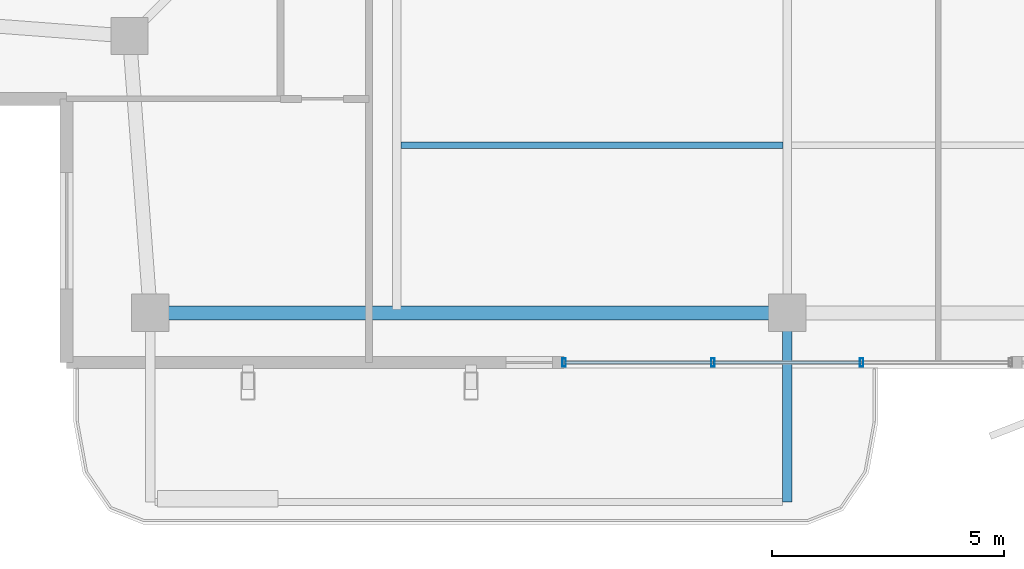
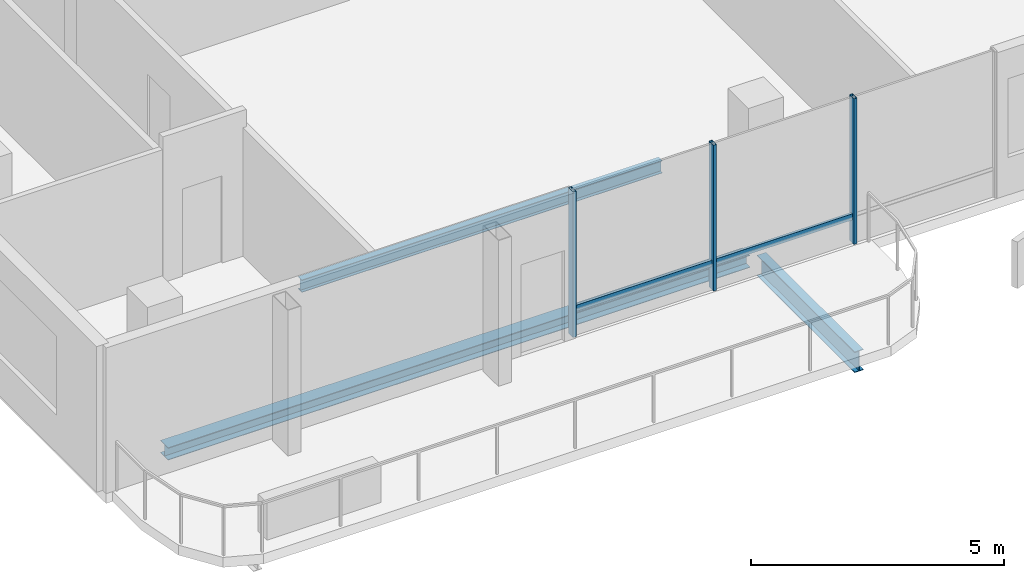
# One storey, part 3 of 22: 5 members, 3 beams, 1 element without a shape of its own.
"""IFC4 building model written with IfcOpenShell, lengths in metres."""

from ifc_helpers import new_model, si_unit, direction, frame, origin, origin_2d, place, context, subcontext, project, spatial, hollow_rectangle, i_section, extrude, material, layer, layer_set, material_profile, profile_set, type_object, element, aggregate, save


model = new_model("IFC4")

# Units and contexts
model_context = context("Model", 3, precision=1e-05, world=origin(), true_north=direction((0.0, 1.0)))
body_context = subcontext(model_context, "Body", "Model", "MODEL_VIEW")
ifc_project = project(units=[si_unit("LENGTHUNIT", "METRE"), si_unit("AREAUNIT", "SQUARE_METRE"), si_unit("VOLUMEUNIT", "CUBIC_METRE"), si_unit("PLANEANGLEUNIT", "RADIAN"), si_unit("MASSUNIT", "GRAM", prefix="KILO")], contexts=[model_context])

# Site, building, storey
site_placement = place(None, origin())
site = spatial("IfcSite", under=ifc_project, at=site_placement, CompositionType="ELEMENT")
building_placement = place(site_placement, origin())
building = spatial("IfcBuilding", under=site, at=building_placement, Name="Belovzor Exchange Tower", CompositionType="ELEMENT")
storey_placement = place(building_placement, frame((0.0, 0.0, 348.0)))
storey = spatial("IfcBuildingStorey", under=building, at=storey_placement, Name="L87", CompositionType="ELEMENT", Elevation=348.0)

# Beams
ifc_material_1 = material(Name="Steel S355", Category="steel")
ifc_material_profile_1 = material_profile(ifc_material_1, i_section(OverallWidth=0.199951171875, OverallDepth=0.5, WebThickness=0.01025390625, FlangeThickness=0.01611328125, at=origin_2d()))
ifc_profile_set_1 = profile_set([ifc_material_profile_1], Name="Steel S355")
beam_type_1 = type_object("IfcBeamType", Name="Planted Balcony Cantilever Beam IPE 500", PredefinedType="BEAM", material=ifc_profile_set_1)
beam_1_placement = place(storey_placement, frame((28.800048828125, 8.47998046875, -0.489990234375), z_axis=(0.0, -1.0, 0.0), x_axis=(1.0, 0.0, 0.0)))
element("IfcBeam", 1, at=beam_1_placement, inside=storey, type_object=beam_type_1, Name="BC-500 Planted Balcony Cantilever Beam IPE 500", PredefinedType="BEAM", context=body_context, shape_type="SweptSolid", body=[
    extrude(i_section(OverallWidth=0.199951171875, OverallDepth=0.5, WebThickness=0.01025390625, FlangeThickness=0.01611328125, at=origin_2d()), origin(), (0.0, 0.0, 1.0), 3.85009765625),
])
ifc_material_2 = material(Name="Steel S355", Category="steel")
ifc_material_profile_2 = material_profile(ifc_material_2, i_section(OverallWidth=0.14990234375, OverallDepth=0.300048828125, WebThickness=0.007080078125, FlangeThickness=0.0107421875, at=origin_2d()))
ifc_profile_set_2 = profile_set([ifc_material_profile_2], Name="Steel S355")
beam_type_2 = type_object("IfcBeamType", Name="Secondary Trim Floor Joist IPE 300", PredefinedType="BEAM", material=ifc_profile_set_2)
beam_2_placement = place(storey_placement, frame((20.489990234375, 12.302978515625, -0.389892578125), z_axis=(1.0, 0.0, 0.0), x_axis=(0.0, 1.0, 0.0)))
element("IfcBeam", 2, at=beam_2_placement, inside=storey, type_object=beam_type_2, Name="FJ-300 Secondary Trim Floor Joist IPE 300", PredefinedType="BEAM", context=body_context, shape_type="SweptSolid", body=[
    extrude(i_section(OverallWidth=0.14990234375, OverallDepth=0.300048828125, WebThickness=0.007080078125, FlangeThickness=0.0107421875, at=origin_2d()), origin(), (0.0, 0.0, 1.0), 8.219970703125),
])

# Curtain wall, members
ifc_material_3 = material(Name="Anodised Aluminium Framing", Category="aluminium")
ifc_layer = layer(ifc_material_3, 0.179931640625)
ifc_layer_set = layer_set([ifc_layer], Name="Anodised Aluminium Framing")
curtain_wall_type = type_object("IfcCurtainWallType", Name="Recessed Loggia Low-Iron Triple-Glazed Curtain Wall", PredefinedType="NOTDEFINED", material=ifc_layer_set)
curtain_wall_placement = place(storey_placement, origin())
curtain_wall = element("IfcCurtainWall", 3, at=curtain_wall_placement, inside=storey, type_object=curtain_wall_type, Name="CW3 Recessed Loggia Low-Iron Triple-Glazed Curtain Wall L87", PredefinedType="NOTDEFINED")
ifc_material_4 = material(Name="Steel S355", Category="steel")
ifc_material_profile_3 = material_profile(ifc_material_4, hollow_rectangle(XDim=0.074951171875, YDim=0.179931640625, WallThickness=0.0048828125, at=origin_2d()))
ifc_profile_set_3 = profile_set([ifc_material_profile_3], Name="Steel S355")
member_type_1 = type_object("IfcMemberType", Name="Thermally Broken Curtain Wall Mullion 180x75", PredefinedType="MULLION", material=ifc_profile_set_3)
member_1_placement = place(storey_placement, frame((30.39990234375, 7.6298828125, 0.0), z_axis=(0.0, 0.0, 1.0), x_axis=(-1.0, 0.0, 0.0)))
member_1 = element("IfcMember", 4, at=member_1_placement, type_object=member_type_1, Name="CW-M180 Curtain Wall Mullion 2", PredefinedType="MULLION", context=body_context, shape_type="SweptSolid", body=[
    extrude(hollow_rectangle(XDim=0.074951171875, YDim=0.179931640625, WallThickness=0.0048828125, at=origin_2d()), origin(), (0.0, 0.0, 1.0), 3.510009765625),
])
member_2_placement = place(storey_placement, frame((27.199951171875, 7.6298828125, 0.0), z_axis=(0.0, 0.0, 1.0), x_axis=(-1.0, 0.0, 0.0)))
member_2 = element("IfcMember", 5, at=member_2_placement, type_object=member_type_1, Name="CW-M180 Curtain Wall Mullion 3", PredefinedType="MULLION", context=body_context, shape_type="SweptSolid", body=[
    extrude(hollow_rectangle(XDim=0.074951171875, YDim=0.179931640625, WallThickness=0.0048828125, at=origin_2d()), origin(), (0.0, 0.0, 1.0), 3.510009765625),
])
member_3_placement = place(storey_placement, frame((24.0, 7.6298828125, 0.0), z_axis=(0.0, 0.0, 1.0), x_axis=(-1.0, 0.0, 0.0)))
member_3 = element("IfcMember", 6, at=member_3_placement, type_object=member_type_1, Name="CW-M180 Curtain Wall Mullion 4", PredefinedType="MULLION", context=body_context, shape_type="SweptSolid", body=[
    extrude(hollow_rectangle(XDim=0.074951171875, YDim=0.179931640625, WallThickness=0.0048828125, at=origin_2d()), origin(), (0.0, 0.0, 1.0), 3.510009765625),
])
ifc_material_5 = material(Name="Steel S355", Category="steel")
ifc_material_profile_4 = material_profile(ifc_material_5, hollow_rectangle(XDim=0.06005859375, YDim=0.14990234375, WallThickness=0.00390625, at=origin_2d()))
ifc_profile_set_4 = profile_set([ifc_material_profile_4], Name="Steel S355")
member_type_2 = type_object("IfcMemberType", Name="Thermally Broken Curtain Wall Transom 150x60", PredefinedType="USERDEFINED", material=ifc_profile_set_4)
member_4_placement = place(storey_placement, frame((30.39208984375, 7.6298828125, 0.632080078125), z_axis=(-1.0, 0.0, 0.0), x_axis=(0.0, -1.0, 0.0)))
member_4 = element("IfcMember", 7, at=member_4_placement, type_object=member_type_2, Name="CW-T150 Curtain Wall Transom 2", ObjectType="TRANSOM", PredefinedType="USERDEFINED", context=body_context, shape_type="SweptSolid", body=[
    extrude(hollow_rectangle(XDim=0.06005859375, YDim=0.14990234375, WallThickness=0.00390625, at=origin_2d()), origin(), (0.0, 0.0, 1.0), 3.18408203125),
])
member_5_placement = place(storey_placement, frame((27.19189453125, 7.6298828125, 0.632080078125), z_axis=(-1.0, 0.0, 0.0), x_axis=(0.0, -1.0, 0.0)))
member_5 = element("IfcMember", 8, at=member_5_placement, type_object=member_type_2, Name="CW-T150 Curtain Wall Transom 3", ObjectType="TRANSOM", PredefinedType="USERDEFINED", context=body_context, shape_type="SweptSolid", body=[
    extrude(hollow_rectangle(XDim=0.06005859375, YDim=0.14990234375, WallThickness=0.00390625, at=origin_2d()), origin(), (0.0, 0.0, 1.0), 3.183837890625),
])
aggregate(curtain_wall, [member_1, member_2, member_3, member_4, member_5])

# Beam
ifc_material_6 = material(Name="Steel S355", Category="steel")
ifc_material_profile_5 = material_profile(ifc_material_6, i_section(OverallWidth=0.300048828125, OverallDepth=0.300048828125, WebThickness=0.008544921875, FlangeThickness=0.013916015625, at=origin_2d()))
ifc_profile_set_5 = profile_set([ifc_material_profile_5], Name="Steel S355")
beam_type_3 = type_object("IfcBeamType", Name="Zone 6 Primary Girder HEA 300", PredefinedType="BEAM", material=ifc_profile_set_5)
beam_3_placement = place(storey_placement, frame((15.320068359375, 8.699951171875, -0.389892578125), z_axis=(1.0, 0.0, 0.0), x_axis=(0.0, 1.0, 0.0)))
element("IfcBeam", 9, at=beam_3_placement, inside=storey, type_object=beam_type_3, Name="FG-Z6 Zone 6 Primary Girder HEA 300", PredefinedType="BEAM", context=body_context, shape_type="SweptSolid", body=[
    extrude(i_section(OverallWidth=0.300048828125, OverallDepth=0.300048828125, WebThickness=0.008544921875, FlangeThickness=0.013916015625, at=origin_2d()), origin(), (0.0, 0.0, 1.0), 13.260009765625),
])

save(model, "model.ifc")
